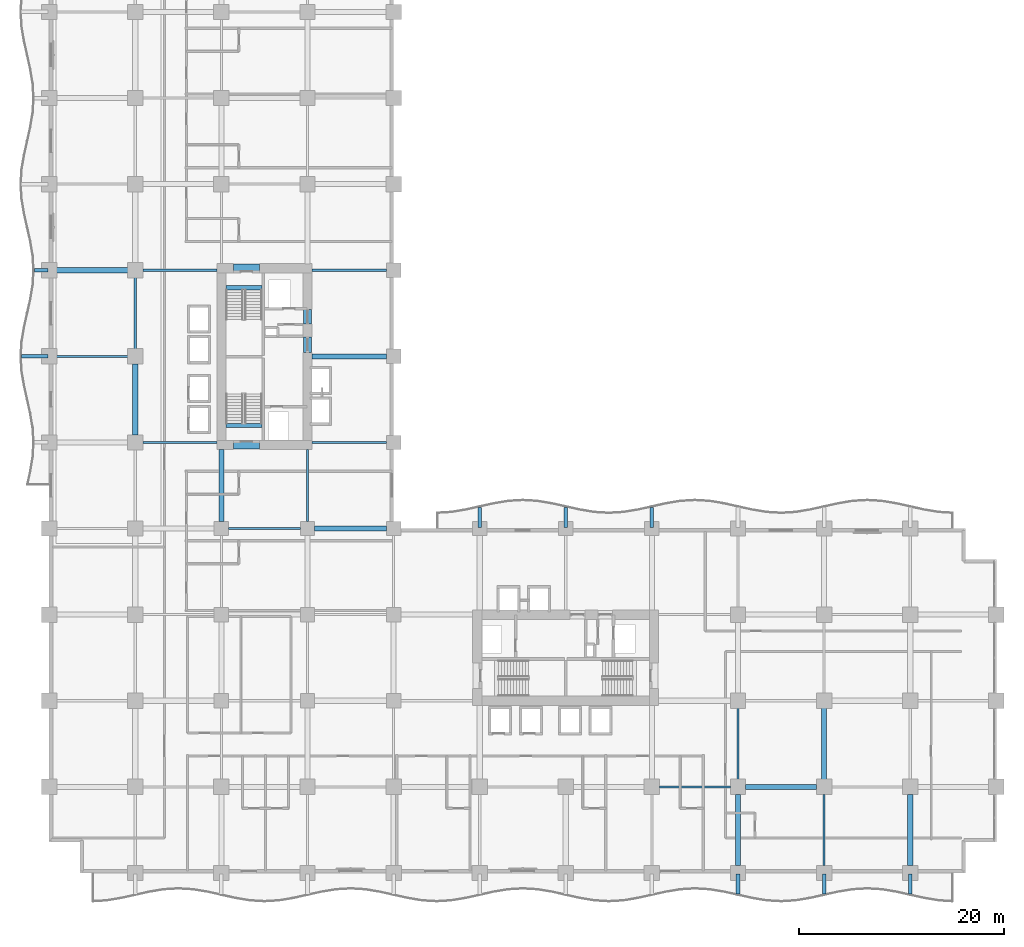
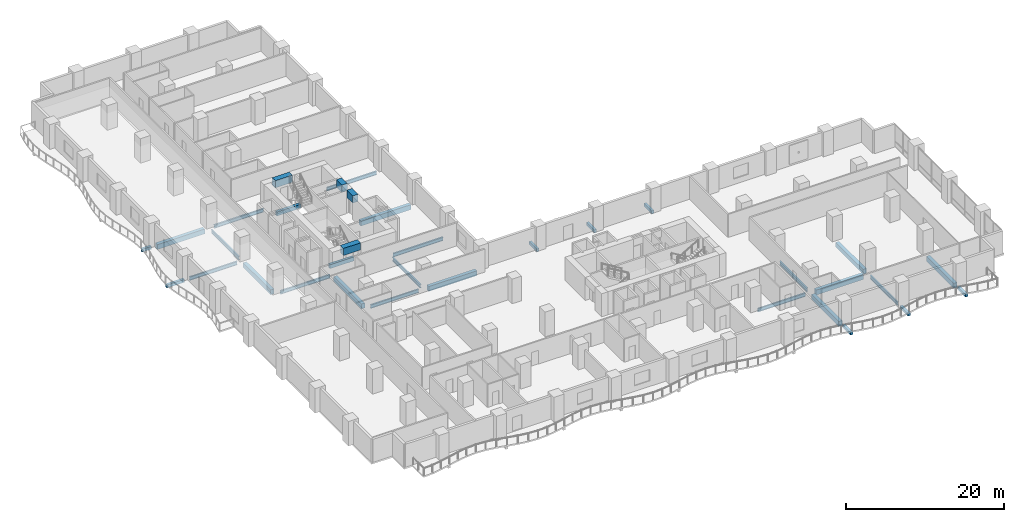
# One storey, part 2 of 27: 34 beams.
"""IFC4 building model written with IfcOpenShell, lengths in metres."""

from ifc_helpers import new_model, si_unit, direction, frame, origin, origin_2d, place, context, subcontext, project, spatial, rectangle, i_section, extrude, material, material_profile, profile_set, type_object, element, save


model = new_model("IFC4")

# Units and contexts
model_context = context("Model", 3, precision=1e-05, world=origin(), true_north=direction((0.0, 1.0)))
body_context = subcontext(model_context, "Body", "Model", "MODEL_VIEW")
ifc_project = project(units=[si_unit("LENGTHUNIT", "METRE"), si_unit("AREAUNIT", "SQUARE_METRE"), si_unit("VOLUMEUNIT", "CUBIC_METRE"), si_unit("PLANEANGLEUNIT", "RADIAN"), si_unit("MASSUNIT", "GRAM", prefix="KILO")], contexts=[model_context])

# Site, building, storey
site_placement = place(None, origin())
site = spatial("IfcSite", under=ifc_project, at=site_placement, CompositionType="ELEMENT")
building_placement = place(site_placement, origin())
building = spatial("IfcBuilding", under=site, at=building_placement, Name="Koriwani Terraces Tower", CompositionType="ELEMENT")
storey_placement = place(building_placement, frame((0.0, 0.0, 54.800048828125)))
storey = spatial("IfcBuildingStorey", under=building, at=storey_placement, Name="L12", CompositionType="ELEMENT", Elevation=54.800048828125)

# Beams
ifc_material_1 = material(Name="Concrete C40/50", Category="concrete")
ifc_material_profile_1 = material_profile(ifc_material_1, rectangle(XDim=0.35009765625, YDim=0.449951171875, at=origin_2d()), Name="Concrete C40/50", Category="LoadBearing")
ifc_profile_set_1 = profile_set([ifc_material_profile_1], Name="Concrete C40/50")
beam_type_1 = type_object("IfcBeamType", Name="BEAM_RC_BALCONY_RIB_350X450", PredefinedType="JOIST", material=ifc_profile_set_1)
for number, where, z_axis, x_axis, name in (
    (1, (67.199951171875, -2.074951171875, -0.47509765625), (0.0, 1.0, 0.0), (-1.0, 0.0, 0.0), "L12 Balcony Bracket Rib S-8"),
    (2, (75.60009765625, -2.074951171875, -0.47509765625), (0.0, 1.0, 0.0), (-1.0, 0.0, 0.0), "L12 Balcony Bracket Rib S-9"),
    (3, (84.0, -2.074951171875, -0.47509765625), (0.0, 1.0, 0.0), (-1.0, 0.0, 0.0), "L12 Balcony Bracket Rib S-10"),
):
    element("IfcBeam", number, at=place(storey_placement, frame(where, z_axis=z_axis, x_axis=x_axis)), inside=storey, type_object=beam_type_1, Name=name, PredefinedType="JOIST", context=body_context, shape_type="SweptSolid", body=[
        extrude(rectangle(XDim=0.35009765625, YDim=0.449951171875, at=origin_2d()), origin(), (0.0, 0.0, 1.0), 1.974853515625),
    ])
beam_1_placement = place(storey_placement, frame((-2.699951171875, 50.39990234375, -0.47509765625), z_axis=(1.0, 0.0, 0.0), x_axis=(0.0, 1.0, 0.0)))
element("IfcBeam", 4, at=beam_1_placement, inside=storey, type_object=beam_type_1, Name="L12 Balcony Bracket Rib W-2", PredefinedType="JOIST", context=body_context, shape_type="SweptSolid", body=[
    extrude(rectangle(XDim=0.35009765625, YDim=0.449951171875, at=origin_2d()), origin(), (0.0, 0.0, 1.0), 2.599853515625),
])
beam_2_placement = place(storey_placement, frame((-1.449951171875, 58.800048828125, -0.47509765625), z_axis=(1.0, 0.0, 0.0), x_axis=(0.0, 1.0, 0.0)))
element("IfcBeam", 5, at=beam_2_placement, inside=storey, type_object=beam_type_1, Name="L12 Balcony Bracket Rib W-3", PredefinedType="JOIST", context=body_context, shape_type="SweptSolid", body=[
    extrude(rectangle(XDim=0.35009765625, YDim=0.449951171875, at=origin_2d()), origin(), (0.0, 0.0, 1.0), 1.349853515625),
])
for number, where, z_axis, x_axis, name in (
    (6, (42.0, 33.699951171875, -0.47509765625), (0.0, 1.0, 0.0), (-1.0, 0.0, 0.0), "L12 Balcony Bracket Rib NE-1"),
    (7, (50.39990234375, 33.699951171875, -0.47509765625), (0.0, 1.0, 0.0), (-1.0, 0.0, 0.0), "L12 Balcony Bracket Rib NE-2"),
    (8, (58.800048828125, 33.699951171875, -0.47509765625), (0.0, 1.0, 0.0), (-1.0, 0.0, 0.0), "L12 Balcony Bracket Rib NE-3"),
):
    element("IfcBeam", number, at=place(storey_placement, frame(where, z_axis=z_axis, x_axis=x_axis)), inside=storey, type_object=beam_type_1, Name=name, PredefinedType="JOIST", context=body_context, shape_type="SweptSolid", body=[
        extrude(rectangle(XDim=0.35009765625, YDim=0.449951171875, at=origin_2d()), origin(), (0.0, 0.0, 1.0), 1.97509765625),
    ])
ifc_material_2 = material(Name="Concrete C60/75", Category="concrete")
ifc_material_profile_2 = material_profile(ifc_material_2, rectangle(XDim=0.800048828125, YDim=1.10009765625, at=origin_2d()), Name="Concrete C60/75", Category="LoadBearing")
ifc_profile_set_2 = profile_set([ifc_material_profile_2], Name="Concrete C60/75")
beam_type_2 = type_object("IfcBeamType", Name="BEAM_RC_COUPLING_800X1100", PredefinedType="LINTEL", material=ifc_profile_set_2)
beam_3_placement = place(storey_placement, frame((25.199951171875, 50.800048828125, 3.0), z_axis=(0.0, 1.0, 0.0), x_axis=(-1.0, 0.0, 0.0)))
element("IfcBeam", 9, at=beam_3_placement, inside=storey, type_object=beam_type_2, Name="L12 Core Coupling Lintel Beam WE1", PredefinedType="LINTEL", context=body_context, shape_type="SweptSolid", body=[
    extrude(rectangle(XDim=0.800048828125, YDim=1.10009765625, at=origin_2d()), origin(), (0.0, 0.0, 1.0), 1.47998046875),
])
beam_4_placement = place(storey_placement, frame((25.199951171875, 53.550048828125, 3.0), z_axis=(0.0, 1.0, 0.0), x_axis=(-1.0, 0.0, 0.0)))
element("IfcBeam", 10, at=beam_4_placement, inside=storey, type_object=beam_type_2, Name="L12 Core Coupling Lintel Beam WE2", PredefinedType="LINTEL", context=body_context, shape_type="SweptSolid", body=[
    extrude(rectangle(XDim=0.800048828125, YDim=1.10009765625, at=origin_2d()), origin(), (0.0, 0.0, 1.0), 1.39990234375),
])
for number, where, z_axis, x_axis, name in (
    (11, (18.0, 41.75, 3.0), (1.0, 0.0, 0.0), (0.0, 1.0, 0.0), "L12 Core Coupling Lintel Beam WS"),
    (12, (18.0, 59.0, 3.0), (1.0, 0.0, 0.0), (0.0, 1.0, 0.0), "L12 Core Coupling Lintel Beam WN"),
):
    element("IfcBeam", number, at=place(storey_placement, frame(where, z_axis=z_axis, x_axis=x_axis)), inside=storey, type_object=beam_type_2, Name=name, PredefinedType="LINTEL", context=body_context, shape_type="SweptSolid", body=[
        extrude(rectangle(XDim=0.800048828125, YDim=1.10009765625, at=origin_2d()), origin(), (0.0, 0.0, 1.0), 2.5),
    ])
ifc_material_profile_3 = material_profile(ifc_material_1, rectangle(XDim=0.39990234375, YDim=0.60009765625, at=origin_2d()), Name="Concrete C40/50", Category="LoadBearing")
ifc_profile_set_3 = profile_set([ifc_material_profile_3], Name="Concrete C40/50")
beam_type_3 = type_object("IfcBeamType", Name="BEAM_RC_GRID_400X600", PredefinedType="BEAM", material=ifc_profile_set_3)
for number, where, z_axis, x_axis, name in (
    (13, (17.25, 43.655029296875, -0.300048828125), (1.0, 0.0, 0.0), (0.0, 1.0, 0.0), "L12 Stairwell Header Trimmer Beam ST-W1"),
    (14, (17.25, 57.094970703125, -0.300048828125), (1.0, 0.0, 0.0), (0.0, 1.0, 0.0), "L12 Stairwell Header Trimmer Beam ST-W2"),
):
    element("IfcBeam", number, at=place(storey_placement, frame(where, z_axis=z_axis, x_axis=x_axis)), inside=storey, type_object=beam_type_3, Name=name, PredefinedType="BEAM", context=body_context, shape_type="SweptSolid", body=[
        extrude(rectangle(XDim=0.39990234375, YDim=0.60009765625, at=origin_2d()), origin(), (0.0, 0.0, 1.0), 3.5),
    ])
ifc_material_3 = material(Name="Concrete C50/60", Category="concrete")
ifc_material_profile_4 = material_profile(ifc_material_3, rectangle(XDim=0.5, YDim=0.75, at=origin_2d()), Name="Concrete C50/60", Category="LoadBearing")
ifc_profile_set_4 = profile_set([ifc_material_profile_4], Name="Concrete C50/60")
beam_type_4 = type_object("IfcBeamType", Name="BEAM_RC_GRID_500X750", PredefinedType="BEAM", material=ifc_profile_set_4)
beam_5_placement = place(storey_placement, frame((67.929931640625, 8.39990234375, -0.625), z_axis=(1.0, 0.0, 0.0), x_axis=(0.0, 1.0, 0.0)))
element("IfcBeam", 15, at=beam_5_placement, inside=storey, type_object=beam_type_4, Name="L12 Grid Beam B (67.2-75.6m)", PredefinedType="BEAM", context=body_context, shape_type="SweptSolid", body=[
    extrude(rectangle(XDim=0.5, YDim=0.75, at=origin_2d()), origin(), (0.0, 0.0, 1.0), 6.940185546875),
])
beam_6_placement = place(storey_placement, frame((25.8798828125, 33.60009765625, -0.625), z_axis=(1.0, 0.0, 0.0), x_axis=(0.0, 1.0, 0.0)))
element("IfcBeam", 16, at=beam_6_placement, inside=storey, type_object=beam_type_4, Name="L12 Grid Beam E (25.2-33.6m)", PredefinedType="BEAM", context=body_context, shape_type="SweptSolid", body=[
    extrude(rectangle(XDim=0.5, YDim=0.75, at=origin_2d()), origin(), (0.0, 0.0, 1.0), 7.0400390625),
])
beam_7_placement = place(storey_placement, frame((25.6298828125, 50.39990234375, -0.625), z_axis=(1.0, 0.0, 0.0), x_axis=(0.0, 1.0, 0.0)))
element("IfcBeam", 17, at=beam_7_placement, inside=storey, type_object=beam_type_4, Name="L12 Grid Beam G (25.2-33.6m)", PredefinedType="BEAM", context=body_context, shape_type="SweptSolid", body=[
    extrude(rectangle(XDim=0.5, YDim=0.75, at=origin_2d()), origin(), (0.0, 0.0, 1.0), 7.2900390625),
])
for number, where, z_axis, x_axis, name in (
    (18, (0.72998046875, 58.800048828125, -0.625), (1.0, 0.0, 0.0), (0.0, 1.0, 0.0), "L12 Grid Beam H (0.0-8.4m)"),
    (19, (8.39990234375, 42.72998046875, -0.625), (0.0, 1.0, 0.0), (-1.0, 0.0, 0.0), "L12 Grid Beam 2 (42.0-50.4m)"),
):
    element("IfcBeam", number, at=place(storey_placement, frame(where, z_axis=z_axis, x_axis=x_axis)), inside=storey, type_object=beam_type_4, Name=name, PredefinedType="BEAM", context=body_context, shape_type="SweptSolid", body=[
        extrude(rectangle(XDim=0.5, YDim=0.75, at=origin_2d()), origin(), (0.0, 0.0, 1.0), 6.93994140625),
    ])
beam_8_placement = place(storey_placement, frame((16.800048828125, 34.280029296875, -0.625), z_axis=(0.0, 1.0, 0.0), x_axis=(-1.0, 0.0, 0.0)))
element("IfcBeam", 20, at=beam_8_placement, inside=storey, type_object=beam_type_4, Name="L12 Grid Beam 3 (33.6-42.0m)", PredefinedType="BEAM", context=body_context, shape_type="SweptSolid", body=[
    extrude(rectangle(XDim=0.5, YDim=0.75, at=origin_2d()), origin(), (0.0, 0.0, 1.0), 7.0400390625),
])
beam_9_placement = place(storey_placement, frame((67.199951171875, 0.72998046875, -0.625), z_axis=(0.0, 1.0, 0.0), x_axis=(-1.0, 0.0, 0.0)))
element("IfcBeam", 21, at=beam_9_placement, inside=storey, type_object=beam_type_4, Name="L12 Grid Beam 9 (0.0-8.4m)", PredefinedType="BEAM", context=body_context, shape_type="SweptSolid", body=[
    extrude(rectangle(XDim=0.5, YDim=0.75, at=origin_2d()), origin(), (0.0, 0.0, 1.0), 6.93994140625),
])
beam_10_placement = place(storey_placement, frame((75.60009765625, 9.1298828125, -0.625), z_axis=(0.0, 1.0, 0.0), x_axis=(-1.0, 0.0, 0.0)))
element("IfcBeam", 22, at=beam_10_placement, inside=storey, type_object=beam_type_4, Name="L12 Grid Beam 10 (8.4-16.8m)", PredefinedType="BEAM", context=body_context, shape_type="SweptSolid", body=[
    extrude(rectangle(XDim=0.5, YDim=0.75, at=origin_2d()), origin(), (0.0, 0.0, 1.0), 6.940185546875),
])
beam_11_placement = place(storey_placement, frame((84.0, 0.72998046875, -0.625), z_axis=(0.0, 1.0, 0.0), x_axis=(-1.0, 0.0, 0.0)))
element("IfcBeam", 23, at=beam_11_placement, inside=storey, type_object=beam_type_4, Name="L12 Grid Beam 11 (0.0-8.4m)", PredefinedType="BEAM", context=body_context, shape_type="SweptSolid", body=[
    extrude(rectangle(XDim=0.5, YDim=0.75, at=origin_2d()), origin(), (0.0, 0.0, 1.0), 6.93994140625),
])
ifc_material_4 = material(Name="Steel ASTM A572 Grade 50", Category="steel")
ifc_material_profile_5 = material_profile(ifc_material_4, i_section(OverallWidth=0.2119140625, OverallDepth=0.54296875, WebThickness=0.0126953125, FlangeThickness=0.021240234375, at=origin_2d()), Name="Steel ASTM A572 Grade 50", Category="LoadBearing")
ifc_profile_set_5 = profile_set([ifc_material_profile_5], Name="Steel ASTM A572 Grade 50")
beam_type_5 = type_object("IfcBeamType", Name="STEEL_BEAM_W530X150", PredefinedType="BEAM", material=ifc_profile_set_5)
beam_12_placement = place(storey_placement, frame((59.530029296875, 8.39990234375, -0.521484375), z_axis=(1.0, 0.0, 0.0), x_axis=(0.0, 1.0, 0.0)))
element("IfcBeam", 24, at=beam_12_placement, inside=storey, type_object=beam_type_5, Name="L12 Grid Beam B (58.8-67.2m)", PredefinedType="BEAM", context=body_context, shape_type="SweptSolid", body=[
    extrude(i_section(OverallWidth=0.2119140625, OverallDepth=0.54296875, WebThickness=0.0126953125, FlangeThickness=0.021240234375, at=origin_2d()), origin(), (0.0, 0.0, 1.0), 6.93994140625),
])
beam_13_placement = place(storey_placement, frame((17.47998046875, 33.60009765625, -0.521484375), z_axis=(1.0, 0.0, 0.0), x_axis=(0.0, 1.0, 0.0)))
element("IfcBeam", 25, at=beam_13_placement, inside=storey, type_object=beam_type_5, Name="L12 Grid Beam E (16.8-25.2m)", PredefinedType="BEAM", context=body_context, shape_type="SweptSolid", body=[
    extrude(i_section(OverallWidth=0.2119140625, OverallDepth=0.54296875, WebThickness=0.0126953125, FlangeThickness=0.021240234375, at=origin_2d()), origin(), (0.0, 0.0, 1.0), 7.0400390625),
])
beam_14_placement = place(storey_placement, frame((9.1298828125, 42.0, -0.521484375), z_axis=(1.0, 0.0, 0.0), x_axis=(0.0, 1.0, 0.0)))
element("IfcBeam", 26, at=beam_14_placement, inside=storey, type_object=beam_type_5, Name="L12 Grid Beam F (8.4-16.8m)", PredefinedType="BEAM", context=body_context, shape_type="SweptSolid", body=[
    extrude(i_section(OverallWidth=0.2119140625, OverallDepth=0.54296875, WebThickness=0.0126953125, FlangeThickness=0.021240234375, at=origin_2d()), origin(), (0.0, 0.0, 1.0), 7.240234375),
])
beam_15_placement = place(storey_placement, frame((25.6298828125, 42.0, -0.521484375), z_axis=(1.0, 0.0, 0.0), x_axis=(0.0, 1.0, 0.0)))
element("IfcBeam", 27, at=beam_15_placement, inside=storey, type_object=beam_type_5, Name="L12 Grid Beam F (25.2-33.6m)", PredefinedType="BEAM", context=body_context, shape_type="SweptSolid", body=[
    extrude(i_section(OverallWidth=0.2119140625, OverallDepth=0.54296875, WebThickness=0.0126953125, FlangeThickness=0.021240234375, at=origin_2d()), origin(), (0.0, 0.0, 1.0), 7.2900390625),
])
beam_16_placement = place(storey_placement, frame((0.72998046875, 50.39990234375, -0.521484375), z_axis=(1.0, 0.0, 0.0), x_axis=(0.0, 1.0, 0.0)))
element("IfcBeam", 28, at=beam_16_placement, inside=storey, type_object=beam_type_5, Name="L12 Grid Beam G (0.0-8.4m)", PredefinedType="BEAM", context=body_context, shape_type="SweptSolid", body=[
    extrude(i_section(OverallWidth=0.2119140625, OverallDepth=0.54296875, WebThickness=0.0126953125, FlangeThickness=0.021240234375, at=origin_2d()), origin(), (0.0, 0.0, 1.0), 6.93994140625),
])
beam_17_placement = place(storey_placement, frame((9.1298828125, 58.800048828125, -0.521484375), z_axis=(1.0, 0.0, 0.0), x_axis=(0.0, 1.0, 0.0)))
element("IfcBeam", 29, at=beam_17_placement, inside=storey, type_object=beam_type_5, Name="L12 Grid Beam H (8.4-16.8m)", PredefinedType="BEAM", context=body_context, shape_type="SweptSolid", body=[
    extrude(i_section(OverallWidth=0.2119140625, OverallDepth=0.54296875, WebThickness=0.0126953125, FlangeThickness=0.021240234375, at=origin_2d()), origin(), (0.0, 0.0, 1.0), 7.240234375),
])
beam_18_placement = place(storey_placement, frame((25.6298828125, 58.800048828125, -0.521484375), z_axis=(1.0, 0.0, 0.0), x_axis=(0.0, 1.0, 0.0)))
element("IfcBeam", 30, at=beam_18_placement, inside=storey, type_object=beam_type_5, Name="L12 Grid Beam H (25.2-33.6m)", PredefinedType="BEAM", context=body_context, shape_type="SweptSolid", body=[
    extrude(i_section(OverallWidth=0.2119140625, OverallDepth=0.54296875, WebThickness=0.0126953125, FlangeThickness=0.021240234375, at=origin_2d()), origin(), (0.0, 0.0, 1.0), 7.2900390625),
])
beam_19_placement = place(storey_placement, frame((8.39990234375, 51.1298828125, -0.521484375), z_axis=(0.0, 1.0, 0.0), x_axis=(-1.0, 0.0, 0.0)))
element("IfcBeam", 31, at=beam_19_placement, inside=storey, type_object=beam_type_5, Name="L12 Grid Beam 2 (50.4-58.8m)", PredefinedType="BEAM", context=body_context, shape_type="SweptSolid", body=[
    extrude(i_section(OverallWidth=0.2119140625, OverallDepth=0.54296875, WebThickness=0.0126953125, FlangeThickness=0.021240234375, at=origin_2d()), origin(), (0.0, 0.0, 1.0), 6.940185546875),
])
beam_20_placement = place(storey_placement, frame((25.199951171875, 34.280029296875, -0.521484375), z_axis=(0.0, 1.0, 0.0), x_axis=(-1.0, 0.0, 0.0)))
element("IfcBeam", 32, at=beam_20_placement, inside=storey, type_object=beam_type_5, Name="L12 Grid Beam 4 (33.6-42.0m)", PredefinedType="BEAM", context=body_context, shape_type="SweptSolid", body=[
    extrude(i_section(OverallWidth=0.2119140625, OverallDepth=0.54296875, WebThickness=0.0126953125, FlangeThickness=0.021240234375, at=origin_2d()), origin(), (0.0, 0.0, 1.0), 7.0400390625),
])
beam_21_placement = place(storey_placement, frame((67.199951171875, 9.1298828125, -0.521484375), z_axis=(0.0, 1.0, 0.0), x_axis=(-1.0, 0.0, 0.0)))
element("IfcBeam", 33, at=beam_21_placement, inside=storey, type_object=beam_type_5, Name="L12 Grid Beam 9 (8.4-16.8m)", PredefinedType="BEAM", context=body_context, shape_type="SweptSolid", body=[
    extrude(i_section(OverallWidth=0.2119140625, OverallDepth=0.54296875, WebThickness=0.0126953125, FlangeThickness=0.021240234375, at=origin_2d()), origin(), (0.0, 0.0, 1.0), 6.940185546875),
])
beam_22_placement = place(storey_placement, frame((75.60009765625, 0.72998046875, -0.521484375), z_axis=(0.0, 1.0, 0.0), x_axis=(-1.0, 0.0, 0.0)))
element("IfcBeam", 34, at=beam_22_placement, inside=storey, type_object=beam_type_5, Name="L12 Grid Beam 10 (0.0-8.4m)", PredefinedType="BEAM", context=body_context, shape_type="SweptSolid", body=[
    extrude(i_section(OverallWidth=0.2119140625, OverallDepth=0.54296875, WebThickness=0.0126953125, FlangeThickness=0.021240234375, at=origin_2d()), origin(), (0.0, 0.0, 1.0), 6.93994140625),
])

save(model, "model.ifc")
